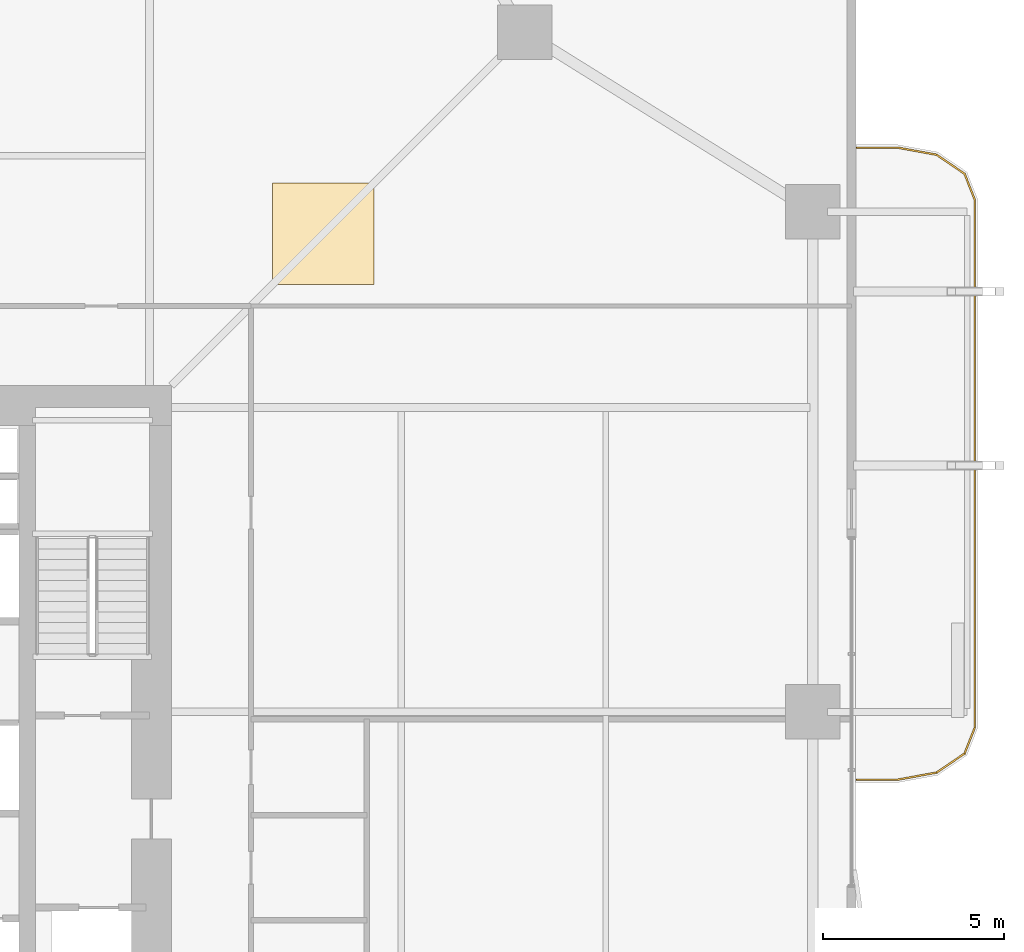
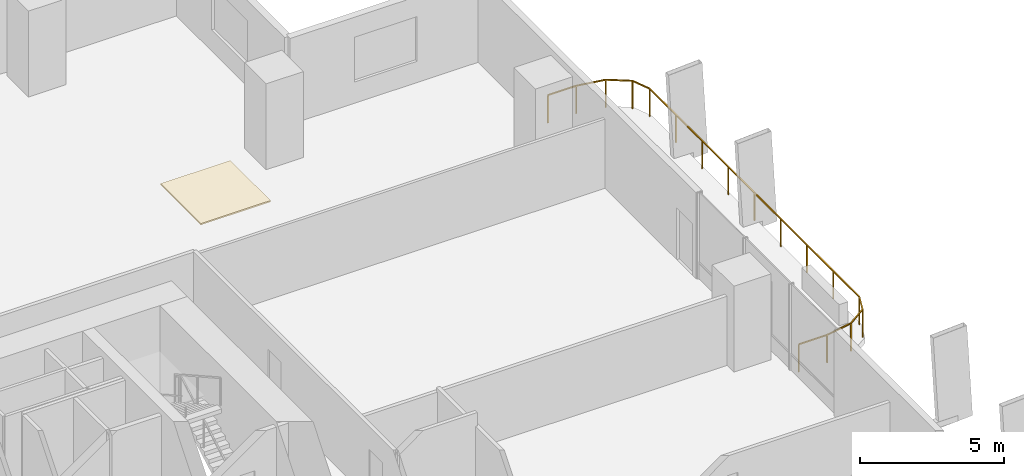
# One storey, part 24 of 24: 1 covering, 1 railing.
"""IFC4 building model written with IfcOpenShell, lengths in metres."""

from ifc_helpers import new_model, si_unit, direction, frame, origin, origin_2d, place, context, subcontext, project, spatial, polyline, rectangle, outline, extrude, material, layer, layer_set, type_object, element, save


model = new_model("IFC4")

# Units and contexts
model_context = context("Model", 3, precision=1e-05, world=origin(), true_north=direction((0.0, 1.0)))
body_context = subcontext(model_context, "Body", "Model", "MODEL_VIEW")
ifc_project = project(units=[si_unit("LENGTHUNIT", "METRE"), si_unit("AREAUNIT", "SQUARE_METRE"), si_unit("VOLUMEUNIT", "CUBIC_METRE"), si_unit("PLANEANGLEUNIT", "RADIAN"), si_unit("MASSUNIT", "GRAM", prefix="KILO")], contexts=[model_context])

# Site, building, storey
site_placement = place(None, origin())
site = spatial("IfcSite", under=ifc_project, at=site_placement, CompositionType="ELEMENT")
building_placement = place(site_placement, origin())
building = spatial("IfcBuilding", under=site, at=building_placement, Name="Belovzor Exchange Tower", CompositionType="ELEMENT")
storey_placement = place(building_placement, frame((0.0, 0.0, 33.89990234375)))
storey = spatial("IfcBuildingStorey", under=building, at=storey_placement, Name="L07", CompositionType="ELEMENT", Elevation=33.89990234375)

# Railing
ifc_material_1 = material(Name="Stainless Steel and Laminated Safety Glass", Category="steel")
railing_type = type_object("IfcRailingType", Name="Laminated Glass & Stainless Steel Balcony Balustrade 1200", PredefinedType="BALUSTRADE", material=ifc_material_1)
railing_placement = place(storey_placement, frame((56.7099609375, 26.929931640625, 0.0)))
element("IfcRailing", 1, at=railing_placement, inside=storey, type_object=railing_type, Name="GR-1 Balcony Balustrade L07 East", PredefinedType="BALUSTRADE", context=body_context, shape_type="SweptSolid", body=[
    extrude(rectangle(XDim=0.048095703125, YDim=0.048095703125, at=origin_2d()), frame((0.0, 0.0, 1.17578125), z_axis=(1.0, 0.0, 0.0), x_axis=(0.0, 1.0, 0.0)), (0.0, 0.0, 1.0), 1.133056640625),
    extrude(rectangle(XDim=0.048095703125, YDim=0.048095703125, at=origin_2d()), frame((1.133056640625, 0.0, 1.17578125), z_axis=(0.983644145941, 0.180122719713, 0.0), x_axis=(-0.180122719713, 0.983644145941, 0.0)), (0.0, 0.0, 1.0), 1.09375),
    extrude(rectangle(XDim=0.048095703125, YDim=0.048095703125, at=origin_2d()), frame((2.208984375, 0.197021484375, 1.17578125), z_axis=(0.826493025367, 0.56294695933, 0.0), x_axis=(-0.56294695933, 0.826493025367, 0.0)), (0.0, 0.0, 1.0), 0.932861328125),
    extrude(rectangle(XDim=0.048095703125, YDim=0.048095703125, at=origin_2d()), frame((2.97998046875, 0.72216796875, 1.17578125), z_axis=(0.365612923861, 0.930766990125, 0.0), x_axis=(-0.930766990125, 0.365612923861, 0.0)), (0.0, 0.0, 1.0), 0.765869140625),
    extrude(rectangle(XDim=0.048095703125, YDim=0.048095703125, at=origin_2d()), frame((3.260009765625, 1.43505859375, 1.17578125), z_axis=(0.0, 1.0, 0.0), x_axis=(-1.0, 0.0, 0.0)), (0.0, 0.0, 1.0), 14.570068359375),
    extrude(rectangle(XDim=0.048095703125, YDim=0.048095703125, at=origin_2d()), frame((3.260009765625, 16.005126953125, 1.17578125), z_axis=(-0.365612923861, 0.930766990125, 0.0), x_axis=(-0.930766990125, -0.365612923861, 0.0)), (0.0, 0.0, 1.0), 0.765869140625),
    extrude(rectangle(XDim=0.048095703125, YDim=0.048095703125, at=origin_2d()), frame((2.97998046875, 16.718017578125, 1.17578125), z_axis=(-0.826493025367, 0.56294695933, 0.0), x_axis=(-0.56294695933, -0.826493025367, 0.0)), (0.0, 0.0, 1.0), 0.932861328125),
    extrude(rectangle(XDim=0.048095703125, YDim=0.048095703125, at=origin_2d()), frame((2.208984375, 17.2431640625, 1.17578125), z_axis=(-0.983644145941, 0.180122719713, 0.0), x_axis=(-0.180122719713, -0.983644145941, 0.0)), (0.0, 0.0, 1.0), 1.09375),
    extrude(rectangle(XDim=0.048095703125, YDim=0.048095703125, at=origin_2d()), frame((1.133056640625, 17.440185546875, 1.17578125), z_axis=(-1.0, 0.0, 0.0), x_axis=(0.0, -1.0, 0.0)), (0.0, 0.0, 1.0), 1.133056640625),
    extrude(rectangle(XDim=0.0419921875, YDim=0.0419921875, at=origin_2d()), origin(), (0.0, 0.0, 1.0), 1.15185546875),
    extrude(rectangle(XDim=0.0419921875, YDim=0.0419921875, at=origin_2d()), frame((1.133056640625, 0.0, 0.0)), (0.0, 0.0, 1.0), 1.15185546875),
    extrude(rectangle(XDim=0.0419921875, YDim=0.0419921875, at=origin_2d()), frame((2.208984375, 0.197021484375, 0.0)), (0.0, 0.0, 1.0), 1.15185546875),
    extrude(rectangle(XDim=0.0419921875, YDim=0.0419921875, at=origin_2d()), frame((2.97998046875, 0.72216796875, 0.0)), (0.0, 0.0, 1.0), 1.15185546875),
    extrude(rectangle(XDim=0.0419921875, YDim=0.0419921875, at=origin_2d()), frame((3.260009765625, 1.43505859375, 0.0)), (0.0, 0.0, 1.0), 1.15185546875),
    extrude(rectangle(XDim=0.0419921875, YDim=0.0419921875, at=origin_2d()), frame((3.260009765625, 3.25634765625, 0.0)), (0.0, 0.0, 1.0), 1.15185546875),
    extrude(rectangle(XDim=0.0419921875, YDim=0.0419921875, at=origin_2d()), frame((3.260009765625, 5.07763671875, 0.0)), (0.0, 0.0, 1.0), 1.15185546875),
    extrude(rectangle(XDim=0.0419921875, YDim=0.0419921875, at=origin_2d()), frame((3.260009765625, 6.89892578125, 0.0)), (0.0, 0.0, 1.0), 1.15185546875),
    extrude(rectangle(XDim=0.0419921875, YDim=0.0419921875, at=origin_2d()), frame((3.260009765625, 8.72021484375, 0.0)), (0.0, 0.0, 1.0), 1.15185546875),
    extrude(rectangle(XDim=0.0419921875, YDim=0.0419921875, at=origin_2d()), frame((3.260009765625, 10.541259765625, 0.0)), (0.0, 0.0, 1.0), 1.15185546875),
    extrude(rectangle(XDim=0.0419921875, YDim=0.0419921875, at=origin_2d()), frame((3.260009765625, 12.362548828125, 0.0)), (0.0, 0.0, 1.0), 1.15185546875),
    extrude(rectangle(XDim=0.0419921875, YDim=0.0419921875, at=origin_2d()), frame((3.260009765625, 14.183837890625, 0.0)), (0.0, 0.0, 1.0), 1.15185546875),
    extrude(rectangle(XDim=0.0419921875, YDim=0.0419921875, at=origin_2d()), frame((3.260009765625, 16.005126953125, 0.0)), (0.0, 0.0, 1.0), 1.15185546875),
    extrude(rectangle(XDim=0.0419921875, YDim=0.0419921875, at=origin_2d()), frame((2.97998046875, 16.718017578125, 0.0)), (0.0, 0.0, 1.0), 1.15185546875),
    extrude(rectangle(XDim=0.0419921875, YDim=0.0419921875, at=origin_2d()), frame((2.208984375, 17.2431640625, 0.0)), (0.0, 0.0, 1.0), 1.15185546875),
    extrude(rectangle(XDim=0.0419921875, YDim=0.0419921875, at=origin_2d()), frame((1.133056640625, 17.440185546875, 0.0)), (0.0, 0.0, 1.0), 1.15185546875),
    extrude(rectangle(XDim=0.0419921875, YDim=0.0419921875, at=origin_2d()), frame((0.0, 17.440185546875, 0.0)), (0.0, 0.0, 1.0), 1.15185546875),
])

# Covering
ifc_material_2 = material(Name="Perforated Powder-Coated Aluminium", Category="aluminium")
ifc_layer = layer(ifc_material_2, 0.06005859375)
ifc_layer_set = layer_set([ifc_layer], Name="Perforated Powder-Coated Aluminium")
covering_type = type_object("IfcCoveringType", Name="Perforated Acoustic Metal Tile Suspended Ceiling 60", PredefinedType="CEILING", material=ifc_layer_set)
covering_placement = place(storey_placement, frame((0.0, 0.0, 3.590087890625)))
element("IfcCovering", 2, at=covering_placement, inside=storey, type_object=covering_type, Name="CLG-AC60 Suspended Ceiling CLG-L07-Z2", PredefinedType="CEILING", context=body_context, shape_type="SweptSolid", body=[
    extrude(outline(polyline([(40.60009765625, 40.60009765625), (43.39990234375, 40.60009765625), (43.39990234375, 43.39990234375), (40.60009765625, 43.39990234375), (40.60009765625, 40.60009765625)])), origin(), (0.0, 0.0, 1.0), 0.06005859375),
])

save(model, "model.ifc")
